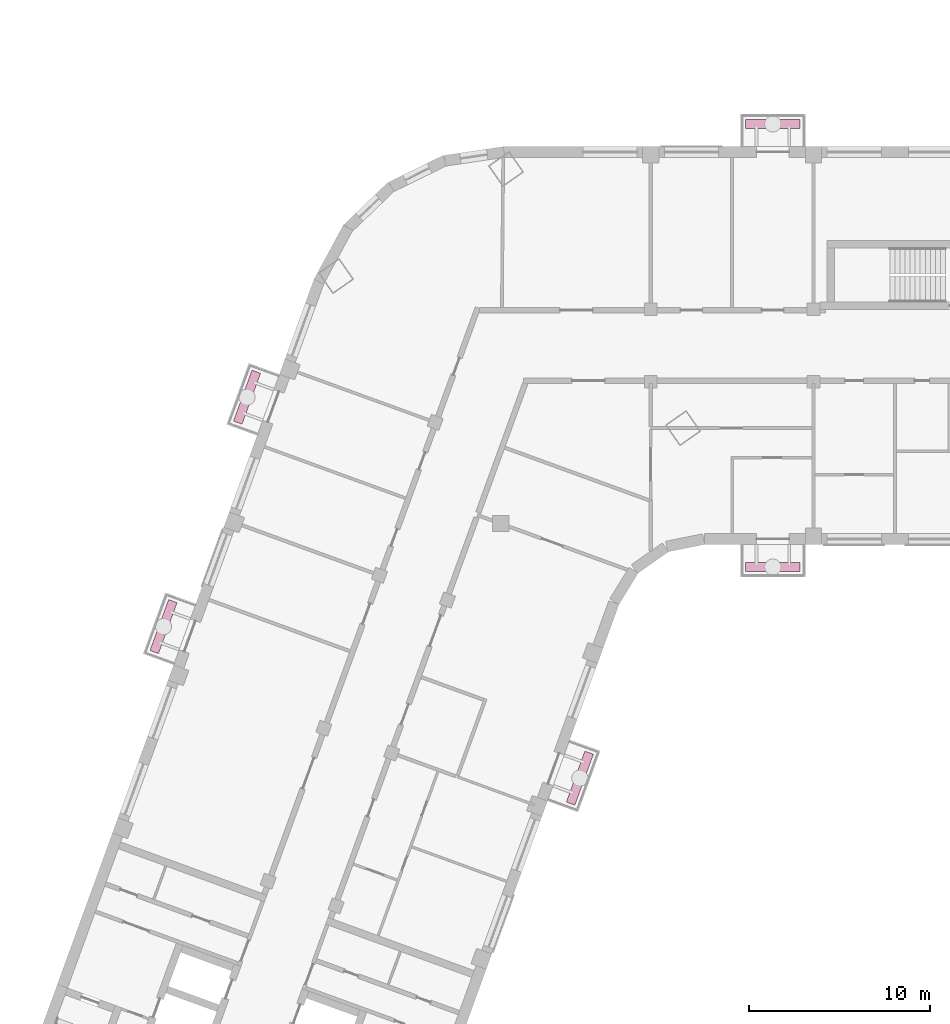
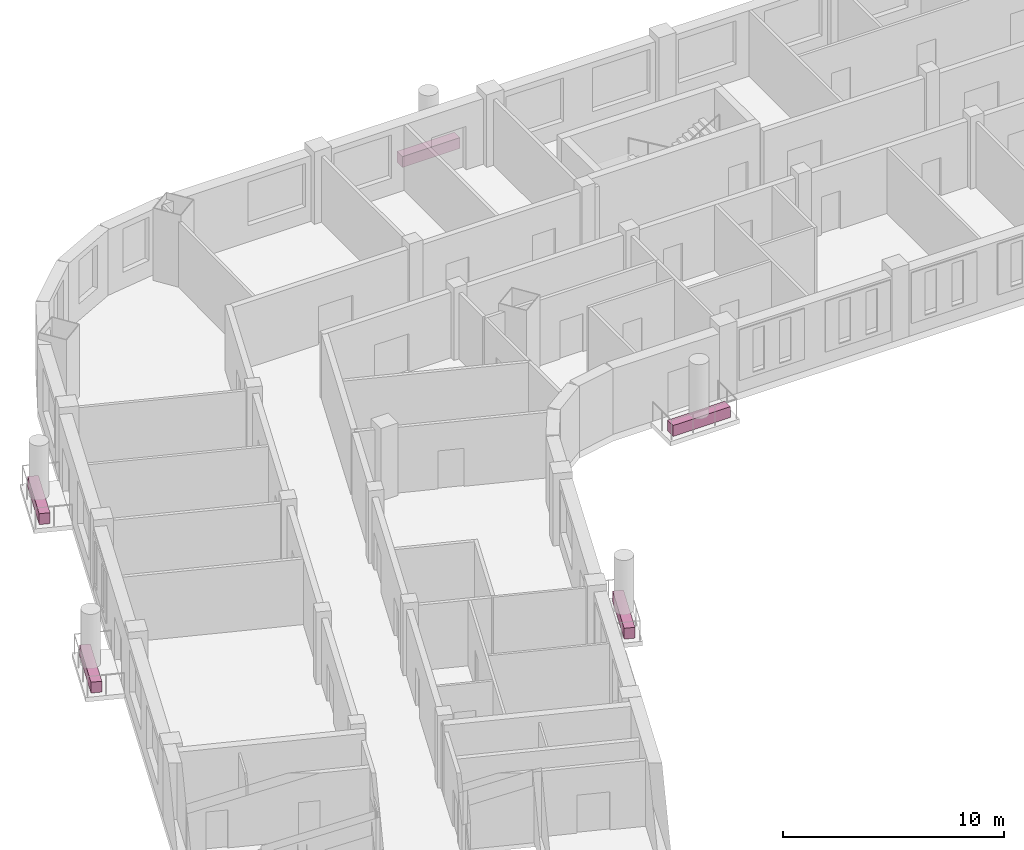
# One storey, part 17 of 18: 5 furniture elements.
"""IFC4 building model written with IfcOpenShell, lengths in metres."""

from ifc_helpers import new_model, si_unit, direction, frame, origin, origin_2d, place, context, subcontext, project, spatial, rectangle, extrude, element, save


model = new_model("IFC4")

# Units and contexts
model_context = context("Model", 3, precision=1e-05, world=origin(), true_north=direction((0.0, 1.0)))
body_context = subcontext(model_context, "Body", "Model", "MODEL_VIEW")
ifc_project = project(units=[si_unit("LENGTHUNIT", "METRE"), si_unit("AREAUNIT", "SQUARE_METRE"), si_unit("VOLUMEUNIT", "CUBIC_METRE"), si_unit("PLANEANGLEUNIT", "RADIAN"), si_unit("MASSUNIT", "GRAM", prefix="KILO")], contexts=[model_context])

# Site, building, storey
site_placement = place(None, origin())
site = spatial("IfcSite", under=ifc_project, at=site_placement, CompositionType="ELEMENT")
building_placement = place(site_placement, origin())
building = spatial("IfcBuilding", under=site, at=building_placement, Name="Skarvind Civic Tower", CompositionType="ELEMENT")
storey_placement = place(building_placement, frame((0.0, 0.0, 31.5)))
storey = spatial("IfcBuildingStorey", under=building, at=storey_placement, Name="L06", CompositionType="ELEMENT", Elevation=31.5)

# Furniture
for number, where, z_axis, x_axis, name in (
    (1, (50.328857421875, 104.07666015625, 0.0), (0.0, 0.0, 1.0), (-0.342020143326, -0.939692620786, 0.0), "TREE BALCONY PLANTER"),
    (2, (61.0, 115.75, 0.0), (0.0, 0.0, 1.0), (-1.0, 0.0, 0.0), "TREE BALCONY PLANTER"),
    (3, (61.0, 140.25, 0.0), (0.0, 0.0, 1.0), (1.0, 0.0, 0.0), "TREE BALCONY PLANTER"),
    (4, (27.306396484375, 112.456298828125, 0.0), (0.0, 0.0, 1.0), (0.342020143326, 0.939692620786, 0.0), "TREE BALCONY PLANTER"),
    (5, (31.923583984375, 125.14208984375, 0.0), (0.0, 0.0, 1.0), (0.342020143326, 0.939692620786, 0.0), "TREE BALCONY PLANTER"),
):
    element("IfcFurniture", number, at=place(storey_placement, frame(where, z_axis=z_axis, x_axis=x_axis)), inside=storey, Name=name, ObjectType="PLANTER", PredefinedType="USERDEFINED", context=body_context, shape_type="SweptSolid", body=[
        extrude(rectangle(XDim=3.0, YDim=0.5, at=origin_2d()), origin(), (0.0, 0.0, 1.0), 0.60009765625),
    ])

save(model, "model.ifc")
